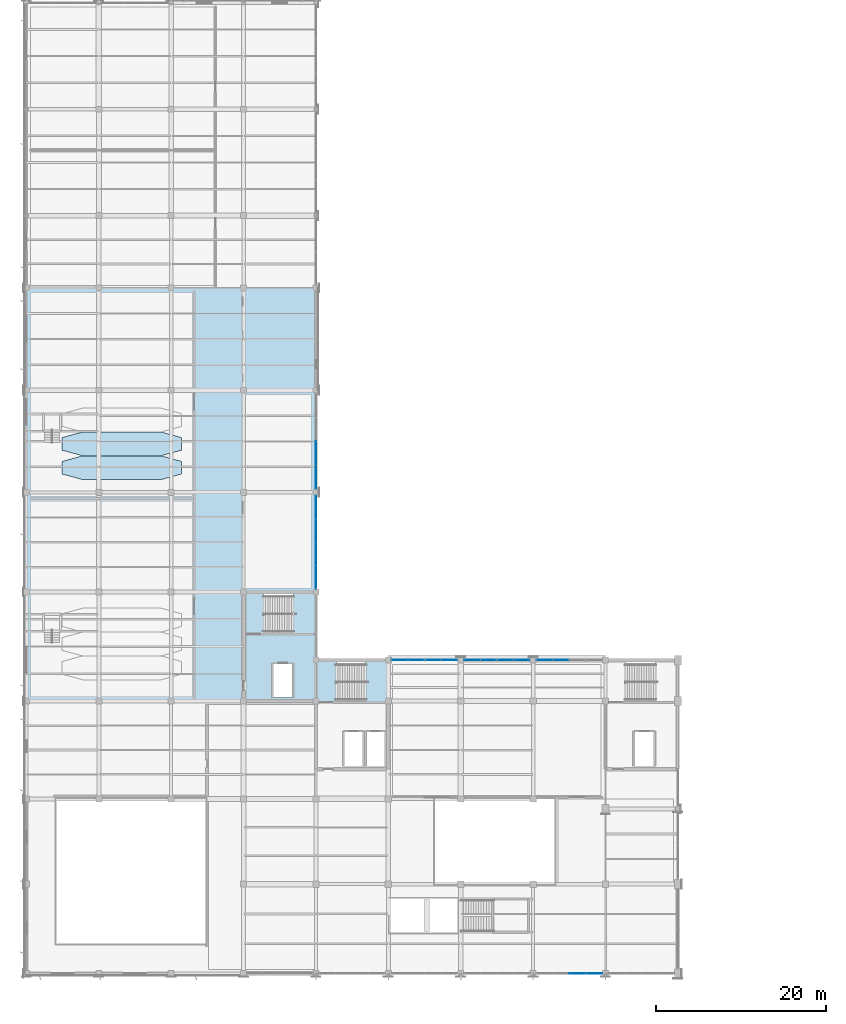
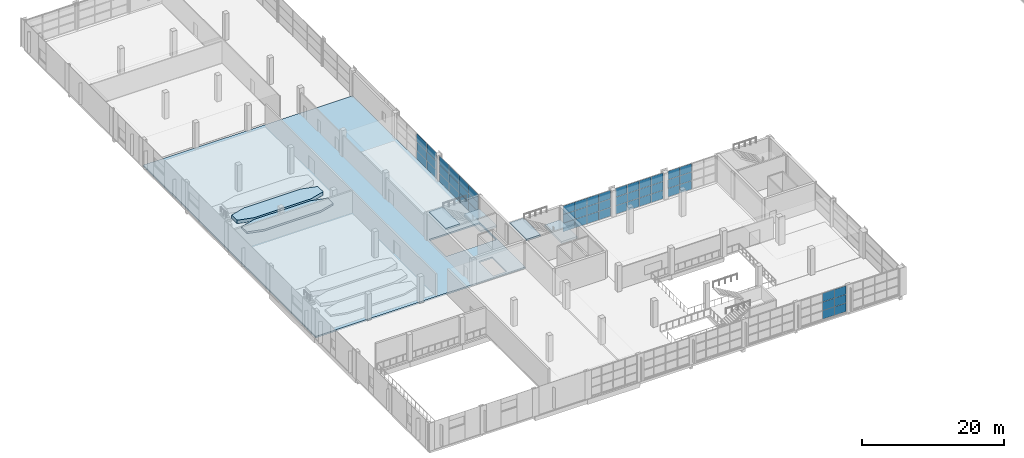
# One storey, part 85 of 112: 54 plates, 7 slabs, 8 elements without a shape of their own.
"""IFC4 building model written with IfcOpenShell, lengths in metres."""

import ifcopenshell
import ifcopenshell.guid

model = None  # the IFC model being written
_history = None  # IfcOwnerHistory: only IFC2X3 demands one
_inside = {}  # id of a spatial element -> (the spatial element, [elements in it])
_under = {}  # id of a project, library or spatial element -> (it, [spatial elements below it])
_declared = {}  # id of a project -> (the project, [libraries it declares])
_typed = {}  # id of a type object -> (the type object, [elements of that type])
_made_of = {}  # id of a material, layer set ... -> (it, [elements and type objects made of it])


def new_model(schema):
    """Start an empty IFC model of exactly this schema.

    Asked for "IFC4X3", IfcOpenShell would pick the latest addendum, in which some entities
    have other attributes; the version numbers below select the first issue.
    IFC2X3 requires an IfcOwnerHistory on every rooted entity: one is made here for all.
    """
    global model, _history
    if schema == "IFC4X3":
        model = ifcopenshell.file(schema_version=(4, 3, 0, 0))
    else:
        model = ifcopenshell.file(schema=schema)
    _inside.clear()
    _under.clear()
    _declared.clear()
    _typed.clear()
    _made_of.clear()
    _history = None
    if model.schema == "IFC2X3":
        org = make("IfcOrganization", Name="unknown")
        user = make(
            "IfcPersonAndOrganization",
            ThePerson=make("IfcPerson", FamilyName="unknown"),
            TheOrganization=org,
        )
        app = make(
            "IfcApplication",
            ApplicationDeveloper=org,
            Version="unknown",
            ApplicationFullName="unknown",
            ApplicationIdentifier="unknown",
        )
        _history = make(
            "IfcOwnerHistory",
            OwningUser=user,
            OwningApplication=app,
            ChangeAction="ADDED",
            CreationDate=0,
        )
    return model


def make(cls, **values):
    """One entity of the class cls with the attributes given. An attribute that is None is left unset."""
    return model.create_entity(
        cls, **{name: value for name, value in values.items() if value is not None}
    )


def rooted(cls, **values):
    """An entity with a GlobalId (a new one), such as an element, a storey or a relation."""
    return make(cls, GlobalId=ifcopenshell.guid.new(), OwnerHistory=_history, **values)


def si_unit(unit_type, name, prefix=None):
    """IfcSIUnit, for example si_unit("LENGTHUNIT", "METRE", prefix="MILLI")."""
    return make("IfcSIUnit", UnitType=unit_type, Prefix=prefix, Name=name)


def assignment(units):
    """IfcUnitAssignment: the units of a project."""
    return None if units is None else make("IfcUnitAssignment", Units=units)


def point(xyz):
    """IfcCartesianPoint."""
    return None if xyz is None else make("IfcCartesianPoint", Coordinates=xyz)


def direction(xyz):
    """IfcDirection."""
    return None if xyz is None else make("IfcDirection", DirectionRatios=xyz)


def frame(location, z_axis=None, x_axis=None):
    """IfcAxis2Placement3D, a coordinate frame: its origin and axes. An axis left out is left unset."""
    return make(
        "IfcAxis2Placement3D",
        Location=point(location),
        Axis=direction(z_axis),
        RefDirection=direction(x_axis),
    )


def frame_2d(location, x_axis=None):
    """IfcAxis2Placement2D, a coordinate frame in the plane: its origin and x axis."""
    return make(
        "IfcAxis2Placement2D", Location=point(location), RefDirection=direction(x_axis)
    )


def origin():
    """The frame at (0, 0, 0) with its axes left unset."""
    return frame((0.0, 0.0, 0.0))


def origin_2d():
    """The frame at (0, 0) in the plane with its x axis left unset."""
    return frame_2d((0.0, 0.0))


def place(relative_to, where):
    """IfcLocalPlacement: puts the frame where relative to a parent placement (None: the world)."""
    return make(
        "IfcLocalPlacement", PlacementRelTo=relative_to, RelativePlacement=where
    )


def context(
    kind, dimensions, precision=None, world=None, true_north=None, identifier=None
):
    """IfcGeometricRepresentationContext, for example the 3D "Model" context."""
    return make(
        "IfcGeometricRepresentationContext",
        ContextIdentifier=identifier,
        ContextType=kind,
        CoordinateSpaceDimension=dimensions,
        Precision=precision,
        WorldCoordinateSystem=world,
        TrueNorth=true_north,
    )


def subcontext(parent, identifier, kind, view, scale=None):
    """IfcGeometricRepresentationSubContext, for example "Body" below "Model"."""
    return make(
        "IfcGeometricRepresentationSubContext",
        ContextIdentifier=identifier,
        ContextType=kind,
        ParentContext=parent,
        TargetScale=scale,
        TargetView=view,
    )


def project(units=None, contexts=None):
    """IfcProject with its units and contexts."""
    return rooted(
        "IfcProject",
        Name="project",
        RepresentationContexts=contexts,
        UnitsInContext=assignment(units),
    )


def spatial(cls, under=None, at=None, **own):
    """A site, building, storey or space (cls), placed at a placement, below another one or the project."""
    s = rooted(cls, ObjectPlacement=at, **own)
    if under is not None:
        _under.setdefault(under.id(), (under, []))[1].append(s)
    return s


def polyline(points):
    """IfcPolyline through the points."""
    return make("IfcPolyline", Points=[point(p) for p in points])


def profile(cls, at=None, kind="AREA", **sizes):
    """A parametric profile (cls). Its sizes go by their IFC names, for example OverallWidth=200.0."""
    return make(cls, ProfileType=kind, Position=at, **sizes)


def rectangle(**sizes):
    """IfcRectangleProfileDef."""
    return profile("IfcRectangleProfileDef", **sizes)


def outline(outer, holes=None, kind="AREA"):
    """IfcArbitraryClosedProfileDef: a profile drawn as a closed curve; with holes, ...WithVoids."""
    if holes is None:
        return make("IfcArbitraryClosedProfileDef", ProfileType=kind, OuterCurve=outer)
    return make(
        "IfcArbitraryProfileDefWithVoids",
        ProfileType=kind,
        OuterCurve=outer,
        InnerCurves=holes,
    )


def extrude(swept, where, along, depth):
    """IfcExtrudedAreaSolid: the profile swept, set in the frame where, extruded along a direction by depth."""
    return make(
        "IfcExtrudedAreaSolid",
        SweptArea=swept,
        Position=where,
        ExtrudedDirection=direction(along),
        Depth=depth,
    )


def shape(context_of_items, identifier, shape_type, items):
    """IfcShapeRepresentation: the items that make up one representation, for example the "Body"."""
    return make(
        "IfcShapeRepresentation",
        ContextOfItems=context_of_items,
        RepresentationIdentifier=identifier,
        RepresentationType=shape_type,
        Items=items,
    )


def material(Name=None, Category=None):
    """IfcMaterial."""
    return make("IfcMaterial", Name=Name, Category=Category)


def layer(
    of_material, thickness, ventilated=None, Name=None, Category=None, Priority=None
):
    """IfcMaterialLayer: one layer of a wall or slab, of a material (None: an air gap)."""
    return make(
        "IfcMaterialLayer",
        Material=of_material,
        LayerThickness=thickness,
        IsVentilated=ventilated,
        Name=Name,
        Category=Category,
        Priority=Priority,
    )


def layer_set(layers, Name=None):
    """IfcMaterialLayerSet."""
    return make("IfcMaterialLayerSet", MaterialLayers=layers, LayerSetName=Name)


def made_of(thing, what):
    """Note that an element or type object is made of a material, layer set ...; save() writes the relation."""
    if what is not None:
        _made_of.setdefault(what.id(), (what, []))[1].append(thing)
    return thing


def type_object(cls, material=None, **own):
    """A type object (cls), such as IfcWallType, which elements share."""
    return made_of(rooted(cls, **own), material)


def element(
    cls,
    number,
    at=None,
    inside=None,
    cuts=None,
    type_object=None,
    material=None,
    context=None,
    identifier="Body",
    shape_type=None,
    held_by="IfcProductDefinitionShape",
    body=None,
    shapes=None,
    **own,
):
    """One element of the class cls, such as IfcWall. Its Tag is "e" and its number.

    at: its placement. inside: the storey or other place that contains it. cuts: it is an
    opening in that element (IfcRelVoidsElement). A single representation is given by context,
    identifier, shape_type and body (its items); several are given by shapes. held_by: the class
    of the entity that holds the representations. save() writes the other relations.
    """
    e = rooted(cls, Tag="e%d" % number, ObjectPlacement=at, **own)
    if body is not None:
        shapes = [shape(context, identifier, shape_type, body)]
    if shapes is not None:
        e.Representation = make(held_by, Representations=shapes)
    if inside is not None:
        _inside.setdefault(inside.id(), (inside, []))[1].append(e)
    if cuts is not None:
        rooted(
            "IfcRelVoidsElement", RelatingBuildingElement=cuts, RelatedOpeningElement=e
        )
    if type_object is not None:
        _typed.setdefault(type_object.id(), (type_object, []))[1].append(e)
    return made_of(e, material)


def aggregate(whole, parts):
    """IfcRelAggregates: a whole, such as a stair, and the parts it consists of."""
    return rooted("IfcRelAggregates", RelatingObject=whole, RelatedObjects=parts)


def save(model, path):
    """Write the relations noted so far, then the file.

    IfcRelAggregates (storeys below a building ...), IfcRelContainedInSpatialStructure (elements
    in a storey), IfcRelDefinesByType, IfcRelAssociatesMaterial and IfcRelDeclares: one each for
    every whole, place, type object, material and project.
    """
    for whole, parts in _under.values():
        aggregate(whole, parts)
    for where, things in _inside.values():
        rooted(
            "IfcRelContainedInSpatialStructure",
            RelatedElements=things,
            RelatingStructure=where,
        )
    for kind, things in _typed.values():
        rooted("IfcRelDefinesByType", RelatedObjects=things, RelatingType=kind)
    for what, things in _made_of.values():
        rooted("IfcRelAssociatesMaterial", RelatedObjects=things, RelatingMaterial=what)
    for by, libraries in _declared.values():
        rooted("IfcRelDeclares", RelatingContext=by, RelatedDefinitions=libraries)
    model.write(path)


model = new_model("IFC4")

# Units and contexts
model_context = context("Model", 3, precision=1e-05, world=origin(), true_north=direction((0.0, 1.0)))
body_context = subcontext(model_context, "Body", "Model", "MODEL_VIEW")
ifc_project = project(units=[si_unit("LENGTHUNIT", "METRE"), si_unit("AREAUNIT", "SQUARE_METRE"), si_unit("VOLUMEUNIT", "CUBIC_METRE"), si_unit("PLANEANGLEUNIT", "RADIAN"), si_unit("MASSUNIT", "GRAM", prefix="KILO")], contexts=[model_context])

# Site, building, storey
site_placement = place(None, origin())
site = spatial("IfcSite", under=ifc_project, at=site_placement, CompositionType="ELEMENT")
building_placement = place(site_placement, origin())
building = spatial("IfcBuilding", under=site, at=building_placement, Name="Solvikara Media Centre", CompositionType="ELEMENT")
storey_placement = place(building_placement, frame((0.0, 0.0, 5.39990234375)))
storey = spatial("IfcBuildingStorey", under=building, at=storey_placement, Name="L01", CompositionType="ELEMENT", Elevation=5.39990234375)

# Curtain wall, plates
ifc_material_1 = material(Name="Anodised aluminium EN AW-6063", Category="aluminium")
curtain_wall_type_1 = type_object("IfcCurtainWallType", Name="CW-04", PredefinedType="NOTDEFINED", material=ifc_material_1)
curtain_wall_1_placement = place(storey_placement, origin())
curtain_wall_1 = element("IfcCurtainWall", 1, at=curtain_wall_1_placement, inside=storey, type_object=curtain_wall_type_1, Name="CW-L01-V6S-4", PredefinedType="NOTDEFINED")
ifc_material_2 = material(Name="Double-glazed low-E architectural glass", Category="glass")
ifc_layer_1 = layer(ifc_material_2, 0.035888671875)
ifc_layer_set_1 = layer_set([ifc_layer_1], Name="Double-glazed low-E architectural glass")
plate_type_1 = type_object("IfcPlateType", Name="PN-06", PredefinedType="CURTAIN_PANEL", material=ifc_layer_set_1)
plate_1_placement = place(storey_placement, frame((64.715087890625, 0.0, 0.03466796875), z_axis=(0.0, 0.0, 1.0), x_axis=(1.0, 0.0, 0.0)))
plate_1 = element("IfcPlate", 2, at=plate_1_placement, type_object=plate_type_1, Name="CW-L01-V6S-4-P0200", PredefinedType="CURTAIN_PANEL", context=body_context, shape_type="SweptSolid", body=[
    extrude(rectangle(XDim=1.89990234375, YDim=0.035888671875, at=origin_2d()), origin(), (0.0, 0.0, 1.0), 1.45703125),
])
plate_2_placement = place(storey_placement, frame((64.715087890625, 0.0, 3.008544921875), z_axis=(0.0, 0.0, 1.0), x_axis=(1.0, 0.0, 0.0)))
plate_2 = element("IfcPlate", 3, at=plate_2_placement, type_object=plate_type_1, Name="CW-L01-V6S-4-P0202", PredefinedType="CURTAIN_PANEL", context=body_context, shape_type="SweptSolid", body=[
    extrude(rectangle(XDim=1.89990234375, YDim=0.035888671875, at=origin_2d()), origin(), (0.0, 0.0, 1.0), 1.45703125),
])
plate_3_placement = place(storey_placement, frame((66.64501953125, 0.0, 1.521484375), z_axis=(0.0, 0.0, 1.0), x_axis=(1.0, 0.0, 0.0)))
plate_3 = element("IfcPlate", 4, at=plate_3_placement, type_object=plate_type_1, Name="CW-L01-V6S-4-P0301", PredefinedType="CURTAIN_PANEL", context=body_context, shape_type="SweptSolid", body=[
    extrude(rectangle(XDim=1.89990234375, YDim=0.035888671875, at=origin_2d()), origin(), (0.0, 0.0, 1.0), 1.45703125),
])
ifc_material_3 = material(Name="Insulated silver-pearl glass spandrel panel", Category="glass")
ifc_layer_2 = layer(ifc_material_3, 0.054931640625)
ifc_layer_set_2 = layer_set([ifc_layer_2], Name="Insulated silver-pearl glass spandrel panel")
plate_type_2 = type_object("IfcPlateType", Name="PN-07", PredefinedType="CURTAIN_PANEL", material=ifc_layer_set_2)
plate_4_placement = place(storey_placement, frame((64.715087890625, 0.0, 1.521484375), z_axis=(0.0, 0.0, 1.0), x_axis=(1.0, 0.0, 0.0)))
plate_4 = element("IfcPlate", 5, at=plate_4_placement, type_object=plate_type_2, Name="CW-L01-V6S-4-P0201", PredefinedType="CURTAIN_PANEL", context=body_context, shape_type="SweptSolid", body=[
    extrude(rectangle(XDim=1.89990234375, YDim=0.054931640625, at=origin_2d()), origin(), (0.0, 0.0, 1.0), 1.45703125),
])
plate_5_placement = place(storey_placement, frame((66.64501953125, 0.0, 0.03466796875), z_axis=(0.0, 0.0, 1.0), x_axis=(1.0, 0.0, 0.0)))
plate_5 = element("IfcPlate", 6, at=plate_5_placement, type_object=plate_type_2, Name="CW-L01-V6S-4-P0300", PredefinedType="CURTAIN_PANEL", context=body_context, shape_type="SweptSolid", body=[
    extrude(rectangle(XDim=1.89990234375, YDim=0.054931640625, at=origin_2d()), origin(), (0.0, 0.0, 1.0), 1.45703125),
])
plate_6_placement = place(storey_placement, frame((66.64501953125, 0.0, 3.008544921875), z_axis=(0.0, 0.0, 1.0), x_axis=(1.0, 0.0, 0.0)))
plate_6 = element("IfcPlate", 7, at=plate_6_placement, type_object=plate_type_2, Name="CW-L01-V6S-4-P0302", PredefinedType="CURTAIN_PANEL", context=body_context, shape_type="SweptSolid", body=[
    extrude(rectangle(XDim=1.89990234375, YDim=0.054931640625, at=origin_2d()), origin(), (0.0, 0.0, 1.0), 1.45703125),
])
aggregate(curtain_wall_1, [plate_1, plate_4, plate_2, plate_5, plate_3, plate_6])

curtain_wall_type_2 = type_object("IfcCurtainWallType", Name="CW-05", PredefinedType="NOTDEFINED", material=ifc_material_1)
curtain_wall_2_placement = place(storey_placement, origin())
curtain_wall_2 = element("IfcCurtainWall", 8, at=curtain_wall_2_placement, inside=storey, type_object=curtain_wall_type_2, Name="CW-L01-V6N-1", PredefinedType="NOTDEFINED")
ifc_material_4 = material(Name="Ceramic-fritted teal low-E glass", Category="glass")
ifc_layer_3 = layer(ifc_material_4, 0.0380859375)
ifc_layer_set_3 = layer_set([ifc_layer_3], Name="Ceramic-fritted teal low-E glass")
plate_type_3 = type_object("IfcPlateType", Name="PN-08", PredefinedType="CURTAIN_PANEL", material=ifc_layer_set_3)
plate_7_placement = place(storey_placement, frame((43.85498046875, 36.800048828125, 0.03466796875), z_axis=(0.0, 0.0, 1.0), x_axis=(1.0, 0.0, 0.0)))
plate_7 = element("IfcPlate", 9, at=plate_7_placement, type_object=plate_type_3, Name="CW-L01-V6N-1-P0000", PredefinedType="CURTAIN_PANEL", context=body_context, shape_type="SweptSolid", body=[
    extrude(rectangle(XDim=1.89990234375, YDim=0.0380859375, at=origin_2d()), origin(), (0.0, 0.0, 1.0), 1.45703125),
])
plate_8_placement = place(storey_placement, frame((43.85498046875, 36.800048828125, 3.008544921875), z_axis=(0.0, 0.0, 1.0), x_axis=(1.0, 0.0, 0.0)))
plate_8 = element("IfcPlate", 10, at=plate_8_placement, type_object=plate_type_3, Name="CW-L01-V6N-1-P0002", PredefinedType="CURTAIN_PANEL", context=body_context, shape_type="SweptSolid", body=[
    extrude(rectangle(XDim=1.89990234375, YDim=0.0380859375, at=origin_2d()), origin(), (0.0, 0.0, 1.0), 1.45703125),
])
plate_9_placement = place(storey_placement, frame((45.784912109375, 36.800048828125, 1.521484375), z_axis=(0.0, 0.0, 1.0), x_axis=(1.0, 0.0, 0.0)))
plate_9 = element("IfcPlate", 11, at=plate_9_placement, type_object=plate_type_3, Name="CW-L01-V6N-1-P0101", PredefinedType="CURTAIN_PANEL", context=body_context, shape_type="SweptSolid", body=[
    extrude(rectangle(XDim=1.89990234375, YDim=0.0380859375, at=origin_2d()), origin(), (0.0, 0.0, 1.0), 1.45703125),
])
plate_10_placement = place(storey_placement, frame((47.715087890625, 36.800048828125, 0.03466796875), z_axis=(0.0, 0.0, 1.0), x_axis=(1.0, 0.0, 0.0)))
plate_10 = element("IfcPlate", 12, at=plate_10_placement, type_object=plate_type_3, Name="CW-L01-V6N-1-P0200", PredefinedType="CURTAIN_PANEL", context=body_context, shape_type="SweptSolid", body=[
    extrude(rectangle(XDim=1.89990234375, YDim=0.0380859375, at=origin_2d()), origin(), (0.0, 0.0, 1.0), 1.45703125),
])
plate_11_placement = place(storey_placement, frame((47.715087890625, 36.800048828125, 3.008544921875), z_axis=(0.0, 0.0, 1.0), x_axis=(1.0, 0.0, 0.0)))
plate_11 = element("IfcPlate", 13, at=plate_11_placement, type_object=plate_type_3, Name="CW-L01-V6N-1-P0202", PredefinedType="CURTAIN_PANEL", context=body_context, shape_type="SweptSolid", body=[
    extrude(rectangle(XDim=1.89990234375, YDim=0.0380859375, at=origin_2d()), origin(), (0.0, 0.0, 1.0), 1.45703125),
])
plate_12_placement = place(storey_placement, frame((49.64501953125, 36.800048828125, 1.521484375), z_axis=(0.0, 0.0, 1.0), x_axis=(1.0, 0.0, 0.0)))
plate_12 = element("IfcPlate", 14, at=plate_12_placement, type_object=plate_type_3, Name="CW-L01-V6N-1-P0301", PredefinedType="CURTAIN_PANEL", context=body_context, shape_type="SweptSolid", body=[
    extrude(rectangle(XDim=1.89990234375, YDim=0.0380859375, at=origin_2d()), origin(), (0.0, 0.0, 1.0), 1.45703125),
])

curtain_wall_3_placement = place(storey_placement, origin())
curtain_wall_3 = element("IfcCurtainWall", 15, at=curtain_wall_3_placement, inside=storey, type_object=curtain_wall_type_2, Name="CW-L01-V6N-2", PredefinedType="NOTDEFINED")
plate_13_placement = place(storey_placement, frame((52.35498046875, 36.800048828125, 0.03466796875), z_axis=(0.0, 0.0, 1.0), x_axis=(1.0, 0.0, 0.0)))
plate_13 = element("IfcPlate", 16, at=plate_13_placement, type_object=plate_type_3, Name="CW-L01-V6N-2-P0000", PredefinedType="CURTAIN_PANEL", context=body_context, shape_type="SweptSolid", body=[
    extrude(rectangle(XDim=1.89990234375, YDim=0.0380859375, at=origin_2d()), origin(), (0.0, 0.0, 1.0), 1.45703125),
])
plate_14_placement = place(storey_placement, frame((52.35498046875, 36.800048828125, 3.008544921875), z_axis=(0.0, 0.0, 1.0), x_axis=(1.0, 0.0, 0.0)))
plate_14 = element("IfcPlate", 17, at=plate_14_placement, type_object=plate_type_3, Name="CW-L01-V6N-2-P0002", PredefinedType="CURTAIN_PANEL", context=body_context, shape_type="SweptSolid", body=[
    extrude(rectangle(XDim=1.89990234375, YDim=0.0380859375, at=origin_2d()), origin(), (0.0, 0.0, 1.0), 1.45703125),
])
plate_15_placement = place(storey_placement, frame((54.284912109375, 36.800048828125, 1.521484375), z_axis=(0.0, 0.0, 1.0), x_axis=(1.0, 0.0, 0.0)))
plate_15 = element("IfcPlate", 18, at=plate_15_placement, type_object=plate_type_3, Name="CW-L01-V6N-2-P0101", PredefinedType="CURTAIN_PANEL", context=body_context, shape_type="SweptSolid", body=[
    extrude(rectangle(XDim=1.89990234375, YDim=0.0380859375, at=origin_2d()), origin(), (0.0, 0.0, 1.0), 1.45703125),
])
plate_16_placement = place(storey_placement, frame((56.215087890625, 36.800048828125, 0.03466796875), z_axis=(0.0, 0.0, 1.0), x_axis=(1.0, 0.0, 0.0)))
plate_16 = element("IfcPlate", 19, at=plate_16_placement, type_object=plate_type_3, Name="CW-L01-V6N-2-P0200", PredefinedType="CURTAIN_PANEL", context=body_context, shape_type="SweptSolid", body=[
    extrude(rectangle(XDim=1.89990234375, YDim=0.0380859375, at=origin_2d()), origin(), (0.0, 0.0, 1.0), 1.45703125),
])
plate_17_placement = place(storey_placement, frame((56.215087890625, 36.800048828125, 3.008544921875), z_axis=(0.0, 0.0, 1.0), x_axis=(1.0, 0.0, 0.0)))
plate_17 = element("IfcPlate", 20, at=plate_17_placement, type_object=plate_type_3, Name="CW-L01-V6N-2-P0202", PredefinedType="CURTAIN_PANEL", context=body_context, shape_type="SweptSolid", body=[
    extrude(rectangle(XDim=1.89990234375, YDim=0.0380859375, at=origin_2d()), origin(), (0.0, 0.0, 1.0), 1.45703125),
])
plate_18_placement = place(storey_placement, frame((58.14501953125, 36.800048828125, 1.521484375), z_axis=(0.0, 0.0, 1.0), x_axis=(1.0, 0.0, 0.0)))
plate_18 = element("IfcPlate", 21, at=plate_18_placement, type_object=plate_type_3, Name="CW-L01-V6N-2-P0301", PredefinedType="CURTAIN_PANEL", context=body_context, shape_type="SweptSolid", body=[
    extrude(rectangle(XDim=1.89990234375, YDim=0.0380859375, at=origin_2d()), origin(), (0.0, 0.0, 1.0), 1.45703125),
])

curtain_wall_4_placement = place(storey_placement, origin())
curtain_wall_4 = element("IfcCurtainWall", 22, at=curtain_wall_4_placement, inside=storey, type_object=curtain_wall_type_2, Name="CW-L01-V6N-3", PredefinedType="NOTDEFINED")
plate_19_placement = place(storey_placement, frame((60.85498046875, 36.800048828125, 0.03466796875), z_axis=(0.0, 0.0, 1.0), x_axis=(1.0, 0.0, 0.0)))
plate_19 = element("IfcPlate", 23, at=plate_19_placement, type_object=plate_type_3, Name="CW-L01-V6N-3-P0000", PredefinedType="CURTAIN_PANEL", context=body_context, shape_type="SweptSolid", body=[
    extrude(rectangle(XDim=1.89990234375, YDim=0.0380859375, at=origin_2d()), origin(), (0.0, 0.0, 1.0), 1.45703125),
])
plate_20_placement = place(storey_placement, frame((60.85498046875, 36.800048828125, 3.008544921875), z_axis=(0.0, 0.0, 1.0), x_axis=(1.0, 0.0, 0.0)))
plate_20 = element("IfcPlate", 24, at=plate_20_placement, type_object=plate_type_3, Name="CW-L01-V6N-3-P0002", PredefinedType="CURTAIN_PANEL", context=body_context, shape_type="SweptSolid", body=[
    extrude(rectangle(XDim=1.89990234375, YDim=0.0380859375, at=origin_2d()), origin(), (0.0, 0.0, 1.0), 1.45703125),
])
plate_21_placement = place(storey_placement, frame((62.784912109375, 36.800048828125, 1.521484375), z_axis=(0.0, 0.0, 1.0), x_axis=(1.0, 0.0, 0.0)))
plate_21 = element("IfcPlate", 25, at=plate_21_placement, type_object=plate_type_3, Name="CW-L01-V6N-3-P0101", PredefinedType="CURTAIN_PANEL", context=body_context, shape_type="SweptSolid", body=[
    extrude(rectangle(XDim=1.89990234375, YDim=0.0380859375, at=origin_2d()), origin(), (0.0, 0.0, 1.0), 1.45703125),
])

# Plate
ifc_layer_4 = layer(ifc_material_3, 0.054931640625)
ifc_layer_set_4 = layer_set([ifc_layer_4], Name="Insulated silver-pearl glass spandrel panel")
plate_type_4 = type_object("IfcPlateType", Name="PN-09", PredefinedType="CURTAIN_PANEL", material=ifc_layer_set_4)
plate_22_placement = place(storey_placement, frame((43.85498046875, 36.800048828125, 1.521484375), z_axis=(0.0, 0.0, 1.0), x_axis=(1.0, 0.0, 0.0)))
plate_22 = element("IfcPlate", 26, at=plate_22_placement, type_object=plate_type_4, Name="CW-L01-V6N-1-P0001", PredefinedType="CURTAIN_PANEL", context=body_context, shape_type="SweptSolid", body=[
    extrude(rectangle(XDim=1.89990234375, YDim=0.054931640625, at=origin_2d()), origin(), (0.0, 0.0, 1.0), 1.45703125),
])

plate_23_placement = place(storey_placement, frame((45.784912109375, 36.800048828125, 0.03466796875), z_axis=(0.0, 0.0, 1.0), x_axis=(1.0, 0.0, 0.0)))
plate_23 = element("IfcPlate", 27, at=plate_23_placement, type_object=plate_type_4, Name="CW-L01-V6N-1-P0100", PredefinedType="CURTAIN_PANEL", context=body_context, shape_type="SweptSolid", body=[
    extrude(rectangle(XDim=1.89990234375, YDim=0.054931640625, at=origin_2d()), origin(), (0.0, 0.0, 1.0), 1.45703125),
])

plate_24_placement = place(storey_placement, frame((45.784912109375, 36.800048828125, 3.008544921875), z_axis=(0.0, 0.0, 1.0), x_axis=(1.0, 0.0, 0.0)))
plate_24 = element("IfcPlate", 28, at=plate_24_placement, type_object=plate_type_4, Name="CW-L01-V6N-1-P0102", PredefinedType="CURTAIN_PANEL", context=body_context, shape_type="SweptSolid", body=[
    extrude(rectangle(XDim=1.89990234375, YDim=0.054931640625, at=origin_2d()), origin(), (0.0, 0.0, 1.0), 1.45703125),
])

plate_25_placement = place(storey_placement, frame((47.715087890625, 36.800048828125, 1.521484375), z_axis=(0.0, 0.0, 1.0), x_axis=(1.0, 0.0, 0.0)))
plate_25 = element("IfcPlate", 29, at=plate_25_placement, type_object=plate_type_4, Name="CW-L01-V6N-1-P0201", PredefinedType="CURTAIN_PANEL", context=body_context, shape_type="SweptSolid", body=[
    extrude(rectangle(XDim=1.89990234375, YDim=0.054931640625, at=origin_2d()), origin(), (0.0, 0.0, 1.0), 1.45703125),
])

plate_26_placement = place(storey_placement, frame((49.64501953125, 36.800048828125, 0.03466796875), z_axis=(0.0, 0.0, 1.0), x_axis=(1.0, 0.0, 0.0)))
plate_26 = element("IfcPlate", 30, at=plate_26_placement, type_object=plate_type_4, Name="CW-L01-V6N-1-P0300", PredefinedType="CURTAIN_PANEL", context=body_context, shape_type="SweptSolid", body=[
    extrude(rectangle(XDim=1.89990234375, YDim=0.054931640625, at=origin_2d()), origin(), (0.0, 0.0, 1.0), 1.45703125),
])

plate_27_placement = place(storey_placement, frame((49.64501953125, 36.800048828125, 3.008544921875), z_axis=(0.0, 0.0, 1.0), x_axis=(1.0, 0.0, 0.0)))
plate_27 = element("IfcPlate", 31, at=plate_27_placement, type_object=plate_type_4, Name="CW-L01-V6N-1-P0302", PredefinedType="CURTAIN_PANEL", context=body_context, shape_type="SweptSolid", body=[
    extrude(rectangle(XDim=1.89990234375, YDim=0.054931640625, at=origin_2d()), origin(), (0.0, 0.0, 1.0), 1.45703125),
])

aggregate(curtain_wall_2, [plate_7, plate_22, plate_8, plate_23, plate_9, plate_24, plate_10, plate_25, plate_11, plate_26, plate_12, plate_27])

plate_28_placement = place(storey_placement, frame((52.35498046875, 36.800048828125, 1.521484375), z_axis=(0.0, 0.0, 1.0), x_axis=(1.0, 0.0, 0.0)))
plate_28 = element("IfcPlate", 32, at=plate_28_placement, type_object=plate_type_4, Name="CW-L01-V6N-2-P0001", PredefinedType="CURTAIN_PANEL", context=body_context, shape_type="SweptSolid", body=[
    extrude(rectangle(XDim=1.89990234375, YDim=0.054931640625, at=origin_2d()), origin(), (0.0, 0.0, 1.0), 1.45703125),
])

plate_29_placement = place(storey_placement, frame((54.284912109375, 36.800048828125, 0.03466796875), z_axis=(0.0, 0.0, 1.0), x_axis=(1.0, 0.0, 0.0)))
plate_29 = element("IfcPlate", 33, at=plate_29_placement, type_object=plate_type_4, Name="CW-L01-V6N-2-P0100", PredefinedType="CURTAIN_PANEL", context=body_context, shape_type="SweptSolid", body=[
    extrude(rectangle(XDim=1.89990234375, YDim=0.054931640625, at=origin_2d()), origin(), (0.0, 0.0, 1.0), 1.45703125),
])

plate_30_placement = place(storey_placement, frame((54.284912109375, 36.800048828125, 3.008544921875), z_axis=(0.0, 0.0, 1.0), x_axis=(1.0, 0.0, 0.0)))
plate_30 = element("IfcPlate", 34, at=plate_30_placement, type_object=plate_type_4, Name="CW-L01-V6N-2-P0102", PredefinedType="CURTAIN_PANEL", context=body_context, shape_type="SweptSolid", body=[
    extrude(rectangle(XDim=1.89990234375, YDim=0.054931640625, at=origin_2d()), origin(), (0.0, 0.0, 1.0), 1.45703125),
])

plate_31_placement = place(storey_placement, frame((56.215087890625, 36.800048828125, 1.521484375), z_axis=(0.0, 0.0, 1.0), x_axis=(1.0, 0.0, 0.0)))
plate_31 = element("IfcPlate", 35, at=plate_31_placement, type_object=plate_type_4, Name="CW-L01-V6N-2-P0201", PredefinedType="CURTAIN_PANEL", context=body_context, shape_type="SweptSolid", body=[
    extrude(rectangle(XDim=1.89990234375, YDim=0.054931640625, at=origin_2d()), origin(), (0.0, 0.0, 1.0), 1.45703125),
])

plate_32_placement = place(storey_placement, frame((58.14501953125, 36.800048828125, 0.03466796875), z_axis=(0.0, 0.0, 1.0), x_axis=(1.0, 0.0, 0.0)))
plate_32 = element("IfcPlate", 36, at=plate_32_placement, type_object=plate_type_4, Name="CW-L01-V6N-2-P0300", PredefinedType="CURTAIN_PANEL", context=body_context, shape_type="SweptSolid", body=[
    extrude(rectangle(XDim=1.89990234375, YDim=0.054931640625, at=origin_2d()), origin(), (0.0, 0.0, 1.0), 1.45703125),
])

plate_33_placement = place(storey_placement, frame((58.14501953125, 36.800048828125, 3.008544921875), z_axis=(0.0, 0.0, 1.0), x_axis=(1.0, 0.0, 0.0)))
plate_33 = element("IfcPlate", 37, at=plate_33_placement, type_object=plate_type_4, Name="CW-L01-V6N-2-P0302", PredefinedType="CURTAIN_PANEL", context=body_context, shape_type="SweptSolid", body=[
    extrude(rectangle(XDim=1.89990234375, YDim=0.054931640625, at=origin_2d()), origin(), (0.0, 0.0, 1.0), 1.45703125),
])

aggregate(curtain_wall_3, [plate_13, plate_28, plate_14, plate_29, plate_15, plate_30, plate_16, plate_31, plate_17, plate_32, plate_18, plate_33])

plate_34_placement = place(storey_placement, frame((60.85498046875, 36.800048828125, 1.521484375), z_axis=(0.0, 0.0, 1.0), x_axis=(1.0, 0.0, 0.0)))
plate_34 = element("IfcPlate", 38, at=plate_34_placement, type_object=plate_type_4, Name="CW-L01-V6N-3-P0001", PredefinedType="CURTAIN_PANEL", context=body_context, shape_type="SweptSolid", body=[
    extrude(rectangle(XDim=1.89990234375, YDim=0.054931640625, at=origin_2d()), origin(), (0.0, 0.0, 1.0), 1.45703125),
])

plate_35_placement = place(storey_placement, frame((62.784912109375, 36.800048828125, 0.03466796875), z_axis=(0.0, 0.0, 1.0), x_axis=(1.0, 0.0, 0.0)))
plate_35 = element("IfcPlate", 39, at=plate_35_placement, type_object=plate_type_4, Name="CW-L01-V6N-3-P0100", PredefinedType="CURTAIN_PANEL", context=body_context, shape_type="SweptSolid", body=[
    extrude(rectangle(XDim=1.89990234375, YDim=0.054931640625, at=origin_2d()), origin(), (0.0, 0.0, 1.0), 1.45703125),
])

plate_36_placement = place(storey_placement, frame((62.784912109375, 36.800048828125, 3.008544921875), z_axis=(0.0, 0.0, 1.0), x_axis=(1.0, 0.0, 0.0)))
plate_36 = element("IfcPlate", 40, at=plate_36_placement, type_object=plate_type_4, Name="CW-L01-V6N-3-P0102", PredefinedType="CURTAIN_PANEL", context=body_context, shape_type="SweptSolid", body=[
    extrude(rectangle(XDim=1.89990234375, YDim=0.054931640625, at=origin_2d()), origin(), (0.0, 0.0, 1.0), 1.45703125),
])

aggregate(curtain_wall_4, [plate_19, plate_34, plate_20, plate_35, plate_21, plate_36])

# Curtain wall, plates
curtain_wall_type_3 = type_object("IfcCurtainWallType", Name="CW-07", PredefinedType="NOTDEFINED", material=ifc_material_1)
curtain_wall_5_placement = place(storey_placement, origin())
curtain_wall_5 = element("IfcCurtainWall", 41, at=curtain_wall_5_placement, inside=storey, type_object=curtain_wall_type_3, Name="CW-L01-V4E-S1", PredefinedType="NOTDEFINED")
ifc_layer_5 = layer(ifc_material_2, 0.035888671875)
ifc_layer_set_5 = layer_set([ifc_layer_5], Name="Double-glazed low-E architectural glass")
plate_type_5 = type_object("IfcPlateType", Name="PN-10", PredefinedType="CURTAIN_PANEL", material=ifc_layer_set_5)
plate_37_placement = place(storey_placement, frame((34.0, 46.554931640625, 0.03466796875), z_axis=(0.0, 0.0, 1.0), x_axis=(0.0, 1.0, 0.0)))
plate_37 = element("IfcPlate", 42, at=plate_37_placement, type_object=plate_type_5, Name="CW-L01-V4E-S1-P0000", PredefinedType="CURTAIN_PANEL", context=body_context, shape_type="SweptSolid", body=[
    extrude(rectangle(XDim=2.699951171875, YDim=0.035888671875, at=origin_2d()), origin(), (0.0, 0.0, 1.0), 1.45703125),
])
plate_38_placement = place(storey_placement, frame((34.0, 46.554931640625, 3.008544921875), z_axis=(0.0, 0.0, 1.0), x_axis=(0.0, 1.0, 0.0)))
plate_38 = element("IfcPlate", 43, at=plate_38_placement, type_object=plate_type_5, Name="CW-L01-V4E-S1-P0002", PredefinedType="CURTAIN_PANEL", context=body_context, shape_type="SweptSolid", body=[
    extrude(rectangle(XDim=2.699951171875, YDim=0.035888671875, at=origin_2d()), origin(), (0.0, 0.0, 1.0), 1.45703125),
])
plate_39_placement = place(storey_placement, frame((34.0, 49.284912109375, 1.521484375), z_axis=(0.0, 0.0, 1.0), x_axis=(0.0, 1.0, 0.0)))
plate_39 = element("IfcPlate", 44, at=plate_39_placement, type_object=plate_type_5, Name="CW-L01-V4E-S1-P0101", PredefinedType="CURTAIN_PANEL", context=body_context, shape_type="SweptSolid", body=[
    extrude(rectangle(XDim=2.699951171875, YDim=0.035888671875, at=origin_2d()), origin(), (0.0, 0.0, 1.0), 1.45703125),
])
plate_40_placement = place(storey_placement, frame((34.0, 52.014892578125, 0.03466796875), z_axis=(0.0, 0.0, 1.0), x_axis=(0.0, 1.0, 0.0)))
plate_40 = element("IfcPlate", 45, at=plate_40_placement, type_object=plate_type_5, Name="CW-L01-V4E-S1-P0200", PredefinedType="CURTAIN_PANEL", context=body_context, shape_type="SweptSolid", body=[
    extrude(rectangle(XDim=2.699951171875, YDim=0.035888671875, at=origin_2d()), origin(), (0.0, 0.0, 1.0), 1.45703125),
])
plate_41_placement = place(storey_placement, frame((34.0, 52.014892578125, 3.008544921875), z_axis=(0.0, 0.0, 1.0), x_axis=(0.0, 1.0, 0.0)))
plate_41 = element("IfcPlate", 46, at=plate_41_placement, type_object=plate_type_5, Name="CW-L01-V4E-S1-P0202", PredefinedType="CURTAIN_PANEL", context=body_context, shape_type="SweptSolid", body=[
    extrude(rectangle(XDim=2.699951171875, YDim=0.035888671875, at=origin_2d()), origin(), (0.0, 0.0, 1.0), 1.45703125),
])
plate_42_placement = place(storey_placement, frame((34.0, 54.7451171875, 1.521484375), z_axis=(0.0, 0.0, 1.0), x_axis=(0.0, 1.0, 0.0)))
plate_42 = element("IfcPlate", 47, at=plate_42_placement, type_object=plate_type_5, Name="CW-L01-V4E-S1-P0301", PredefinedType="CURTAIN_PANEL", context=body_context, shape_type="SweptSolid", body=[
    extrude(rectangle(XDim=2.699951171875, YDim=0.035888671875, at=origin_2d()), origin(), (0.0, 0.0, 1.0), 1.45703125),
])

curtain_wall_6_placement = place(storey_placement, origin())
curtain_wall_6 = element("IfcCurtainWall", 48, at=curtain_wall_6_placement, inside=storey, type_object=curtain_wall_type_3, Name="CW-L01-V4E-S2", PredefinedType="NOTDEFINED")
plate_43_placement = place(storey_placement, frame((34.0, 58.2919921875, 0.03466796875), z_axis=(0.0, 0.0, 1.0), x_axis=(0.0, 1.0, 0.0)))
plate_43 = element("IfcPlate", 49, at=plate_43_placement, type_object=plate_type_5, Name="CW-L01-V4E-S2-P0000", PredefinedType="CURTAIN_PANEL", context=body_context, shape_type="SweptSolid", body=[
    extrude(rectangle(XDim=2.77490234375, YDim=0.035888671875, at=origin_2d()), origin(), (0.0, 0.0, 1.0), 1.45703125),
])
plate_44_placement = place(storey_placement, frame((34.0, 58.2919921875, 3.008544921875), z_axis=(0.0, 0.0, 1.0), x_axis=(0.0, 1.0, 0.0)))
plate_44 = element("IfcPlate", 50, at=plate_44_placement, type_object=plate_type_5, Name="CW-L01-V4E-S2-P0002", PredefinedType="CURTAIN_PANEL", context=body_context, shape_type="SweptSolid", body=[
    extrude(rectangle(XDim=2.77490234375, YDim=0.035888671875, at=origin_2d()), origin(), (0.0, 0.0, 1.0), 1.45703125),
])
plate_45_placement = place(storey_placement, frame((34.0, 61.096923828125, 1.521484375), z_axis=(0.0, 0.0, 1.0), x_axis=(0.0, 1.0, 0.0)))
plate_45 = element("IfcPlate", 51, at=plate_45_placement, type_object=plate_type_5, Name="CW-L01-V4E-S2-P0101", PredefinedType="CURTAIN_PANEL", context=body_context, shape_type="SweptSolid", body=[
    extrude(rectangle(XDim=2.77490234375, YDim=0.035888671875, at=origin_2d()), origin(), (0.0, 0.0, 1.0), 1.45703125),
])

# Plate
ifc_layer_6 = layer(ifc_material_3, 0.054931640625)
ifc_layer_set_6 = layer_set([ifc_layer_6], Name="Insulated silver-pearl glass spandrel panel")
plate_type_6 = type_object("IfcPlateType", Name="PN-11", PredefinedType="CURTAIN_PANEL", material=ifc_layer_set_6)
plate_46_placement = place(storey_placement, frame((34.0, 46.554931640625, 1.521484375), z_axis=(0.0, 0.0, 1.0), x_axis=(0.0, 1.0, 0.0)))
plate_46 = element("IfcPlate", 52, at=plate_46_placement, type_object=plate_type_6, Name="CW-L01-V4E-S1-P0001", PredefinedType="CURTAIN_PANEL", context=body_context, shape_type="SweptSolid", body=[
    extrude(rectangle(XDim=2.699951171875, YDim=0.054931640625, at=origin_2d()), origin(), (0.0, 0.0, 1.0), 1.45703125),
])

plate_47_placement = place(storey_placement, frame((34.0, 49.284912109375, 0.03466796875), z_axis=(0.0, 0.0, 1.0), x_axis=(0.0, 1.0, 0.0)))
plate_47 = element("IfcPlate", 53, at=plate_47_placement, type_object=plate_type_6, Name="CW-L01-V4E-S1-P0100", PredefinedType="CURTAIN_PANEL", context=body_context, shape_type="SweptSolid", body=[
    extrude(rectangle(XDim=2.699951171875, YDim=0.054931640625, at=origin_2d()), origin(), (0.0, 0.0, 1.0), 1.45703125),
])

plate_48_placement = place(storey_placement, frame((34.0, 49.284912109375, 3.008544921875), z_axis=(0.0, 0.0, 1.0), x_axis=(0.0, 1.0, 0.0)))
plate_48 = element("IfcPlate", 54, at=plate_48_placement, type_object=plate_type_6, Name="CW-L01-V4E-S1-P0102", PredefinedType="CURTAIN_PANEL", context=body_context, shape_type="SweptSolid", body=[
    extrude(rectangle(XDim=2.699951171875, YDim=0.054931640625, at=origin_2d()), origin(), (0.0, 0.0, 1.0), 1.45703125),
])

plate_49_placement = place(storey_placement, frame((34.0, 52.014892578125, 1.521484375), z_axis=(0.0, 0.0, 1.0), x_axis=(0.0, 1.0, 0.0)))
plate_49 = element("IfcPlate", 55, at=plate_49_placement, type_object=plate_type_6, Name="CW-L01-V4E-S1-P0201", PredefinedType="CURTAIN_PANEL", context=body_context, shape_type="SweptSolid", body=[
    extrude(rectangle(XDim=2.699951171875, YDim=0.054931640625, at=origin_2d()), origin(), (0.0, 0.0, 1.0), 1.45703125),
])

plate_50_placement = place(storey_placement, frame((34.0, 54.7451171875, 0.03466796875), z_axis=(0.0, 0.0, 1.0), x_axis=(0.0, 1.0, 0.0)))
plate_50 = element("IfcPlate", 56, at=plate_50_placement, type_object=plate_type_6, Name="CW-L01-V4E-S1-P0300", PredefinedType="CURTAIN_PANEL", context=body_context, shape_type="SweptSolid", body=[
    extrude(rectangle(XDim=2.699951171875, YDim=0.054931640625, at=origin_2d()), origin(), (0.0, 0.0, 1.0), 1.45703125),
])

plate_51_placement = place(storey_placement, frame((34.0, 54.7451171875, 3.008544921875), z_axis=(0.0, 0.0, 1.0), x_axis=(0.0, 1.0, 0.0)))
plate_51 = element("IfcPlate", 57, at=plate_51_placement, type_object=plate_type_6, Name="CW-L01-V4E-S1-P0302", PredefinedType="CURTAIN_PANEL", context=body_context, shape_type="SweptSolid", body=[
    extrude(rectangle(XDim=2.699951171875, YDim=0.054931640625, at=origin_2d()), origin(), (0.0, 0.0, 1.0), 1.45703125),
])

aggregate(curtain_wall_5, [plate_37, plate_46, plate_38, plate_47, plate_39, plate_48, plate_40, plate_49, plate_41, plate_50, plate_42, plate_51])

plate_52_placement = place(storey_placement, frame((34.0, 58.2919921875, 1.521484375), z_axis=(0.0, 0.0, 1.0), x_axis=(0.0, 1.0, 0.0)))
plate_52 = element("IfcPlate", 58, at=plate_52_placement, type_object=plate_type_6, Name="CW-L01-V4E-S2-P0001", PredefinedType="CURTAIN_PANEL", context=body_context, shape_type="SweptSolid", body=[
    extrude(rectangle(XDim=2.77490234375, YDim=0.054931640625, at=origin_2d()), origin(), (0.0, 0.0, 1.0), 1.45703125),
])

plate_53_placement = place(storey_placement, frame((34.0, 61.096923828125, 0.03466796875), z_axis=(0.0, 0.0, 1.0), x_axis=(0.0, 1.0, 0.0)))
plate_53 = element("IfcPlate", 59, at=plate_53_placement, type_object=plate_type_6, Name="CW-L01-V4E-S2-P0100", PredefinedType="CURTAIN_PANEL", context=body_context, shape_type="SweptSolid", body=[
    extrude(rectangle(XDim=2.77490234375, YDim=0.054931640625, at=origin_2d()), origin(), (0.0, 0.0, 1.0), 1.45703125),
])

plate_54_placement = place(storey_placement, frame((34.0, 61.096923828125, 3.008544921875), z_axis=(0.0, 0.0, 1.0), x_axis=(0.0, 1.0, 0.0)))
plate_54 = element("IfcPlate", 60, at=plate_54_placement, type_object=plate_type_6, Name="CW-L01-V4E-S2-P0102", PredefinedType="CURTAIN_PANEL", context=body_context, shape_type="SweptSolid", body=[
    extrude(rectangle(XDim=2.77490234375, YDim=0.054931640625, at=origin_2d()), origin(), (0.0, 0.0, 1.0), 1.45703125),
])

aggregate(curtain_wall_6, [plate_43, plate_52, plate_44, plate_53, plate_45, plate_54])

# Slab
ifc_material_5 = material(Name="Concrete fc' 35 MPa (C35/45)", Category="concrete")
ifc_layer_7 = layer(ifc_material_5, 0.260009765625)
ifc_layer_set_7 = layer_set([ifc_layer_7], Name="Concrete fc' 35 MPa (C35/45)")
slab_type_1 = type_object("IfcSlabType", Name="ST-06", PredefinedType="FLOOR", material=ifc_layer_set_7)
slab_1_placement = place(storey_placement, frame((0.0, 0.0, -0.260009765625)))
element("IfcSlab", 61, at=slab_1_placement, inside=storey, type_object=slab_type_1, Name="SL-L01-V4", PredefinedType="FLOOR", context=body_context, shape_type="SweptSolid", body=[
    extrude(outline(polyline([(0.0, 32.0), (34.0, 32.0), (34.0, 80.5), (0.0, 80.5), (0.0, 32.0)]), holes=[polyline([(25.679931640625, 39.85009765625), (33.820068359375, 39.85009765625), (33.820068359375, 44.6201171875), (25.679931640625, 44.6201171875), (25.679931640625, 39.85009765625)]), polyline([(29.0, 32.39990234375), (31.199951171875, 32.39990234375), (31.199951171875, 36.449951171875), (29.0, 36.449951171875), (29.0, 32.39990234375)])]), origin(), (0.0, 0.0, 1.0), 0.260009765625),
])

# Stair, slabs
stair_type_1 = type_object("IfcStairType", Name="SR-01", PredefinedType="HALF_TURN_STAIR", material=ifc_material_5)
stair_1_placement = place(storey_placement, origin())
stair_1 = element("IfcStair", 62, at=stair_1_placement, inside=storey, type_object=stair_type_1, Name="ST-C1-L01", PredefinedType="HALF_TURN_STAIR")
ifc_layer_8 = layer(ifc_material_5, 0.330078125)
ifc_layer_set_8 = layer_set([ifc_layer_8], Name="Concrete fc' 35 MPa (C35/45)")
slab_type_2 = type_object("IfcSlabType", Name="ST-15", PredefinedType="LANDING", material=ifc_layer_set_8)
slab_2_placement = place(storey_placement, frame((0.0, 0.0, 2.070068359375)))
slab_2 = element("IfcSlab", 63, at=slab_2_placement, type_object=slab_type_2, Name="ST-C1-L01-LND", PredefinedType="LANDING", context=body_context, shape_type="SweptSolid", body=[
    extrude(outline(polyline([(31.300048828125, 39.85009765625), (33.8798828125, 39.85009765625), (33.8798828125, 44.6201171875), (31.300048828125, 44.6201171875), (31.300048828125, 39.85009765625)])), origin(), (0.0, 0.0, 1.0), 0.330078125),
])
slab_3_placement = place(storey_placement, frame((0.0, 0.0, 4.47021484375)))
slab_3 = element("IfcSlab", 64, at=slab_3_placement, type_object=slab_type_2, Name="ST-C1-L01-ARR", PredefinedType="LANDING", context=body_context, shape_type="SweptSolid", body=[
    extrude(outline(polyline([(25.6201171875, 39.85009765625), (27.89990234375, 39.85009765625), (27.89990234375, 44.6201171875), (25.6201171875, 44.6201171875), (25.6201171875, 39.85009765625)])), origin(), (0.0, 0.0, 1.0), 0.329833984375),
])
aggregate(stair_1, [slab_2, slab_3])

stair_type_2 = type_object("IfcStairType", Name="SR-03", PredefinedType="HALF_TURN_STAIR", material=ifc_material_5)
stair_2_placement = place(storey_placement, origin())
stair_2 = element("IfcStair", 65, at=stair_2_placement, inside=storey, type_object=stair_type_2, Name="ST-C2-L01", PredefinedType="HALF_TURN_STAIR")
slab_4_placement = place(storey_placement, frame((0.0, 0.0, 2.070068359375)))
slab_4 = element("IfcSlab", 66, at=slab_4_placement, type_object=slab_type_2, Name="ST-C2-L01-LND", PredefinedType="LANDING", context=body_context, shape_type="SweptSolid", body=[
    extrude(outline(polyline([(39.800048828125, 31.85009765625), (42.3798828125, 31.85009765625), (42.3798828125, 36.6201171875), (39.800048828125, 36.6201171875), (39.800048828125, 31.85009765625)])), origin(), (0.0, 0.0, 1.0), 0.330078125),
])
slab_5_placement = place(storey_placement, frame((0.0, 0.0, 4.47021484375)))
slab_5 = element("IfcSlab", 67, at=slab_5_placement, type_object=slab_type_2, Name="ST-C2-L01-ARR", PredefinedType="LANDING", context=body_context, shape_type="SweptSolid", body=[
    extrude(outline(polyline([(34.1201171875, 31.85009765625), (36.39990234375, 31.85009765625), (36.39990234375, 36.6201171875), (34.1201171875, 36.6201171875), (34.1201171875, 31.85009765625)])), origin(), (0.0, 0.0, 1.0), 0.329833984375),
])
aggregate(stair_2, [slab_4, slab_5])

# Slabs
ifc_layer_9 = layer(ifc_material_5, 0.300048828125)
ifc_layer_set_9 = layer_set([ifc_layer_9], Name="Concrete fc' 35 MPa (C35/45)")
slab_type_3 = type_object("IfcSlabType", Name="ST-17", PredefinedType="USERDEFINED", material=ifc_layer_set_9)
slab_6_placement = place(storey_placement, origin())
element("IfcSlab", 68, at=slab_6_placement, inside=storey, type_object=slab_type_3, Name="TIER-MX2-01", ObjectType="SEATING TIER", PredefinedType="USERDEFINED", context=body_context, shape_type="SweptSolid", body=[
    extrude(outline(polyline([(6.60009765625, 58.0), (15.800048828125, 58.0), (18.199951171875, 58.64990234375), (18.199951171875, 60.14990234375), (15.800048828125, 60.800048828125), (6.60009765625, 60.800048828125), (4.199951171875, 60.14990234375), (4.199951171875, 58.64990234375), (6.60009765625, 58.0)])), origin(), (0.0, 0.0, 1.0), 0.300048828125),
])
ifc_layer_10 = layer(ifc_material_5, 0.60009765625)
ifc_layer_set_10 = layer_set([ifc_layer_10], Name="Concrete fc' 35 MPa (C35/45)")
slab_type_4 = type_object("IfcSlabType", Name="ST-19", PredefinedType="USERDEFINED", material=ifc_layer_set_10)
slab_7_placement = place(storey_placement, origin())
element("IfcSlab", 69, at=slab_7_placement, inside=storey, type_object=slab_type_4, Name="TIER-MX2-02", ObjectType="SEATING TIER", PredefinedType="USERDEFINED", context=body_context, shape_type="SweptSolid", body=[
    extrude(outline(polyline([(6.60009765625, 60.800048828125), (15.800048828125, 60.800048828125), (18.199951171875, 61.449951171875), (18.199951171875, 62.949951171875), (15.800048828125, 63.60009765625), (6.60009765625, 63.60009765625), (4.199951171875, 62.949951171875), (4.199951171875, 61.449951171875), (6.60009765625, 60.800048828125)])), origin(), (0.0, 0.0, 1.0), 0.60009765625),
])

save(model, "model.ifc")
